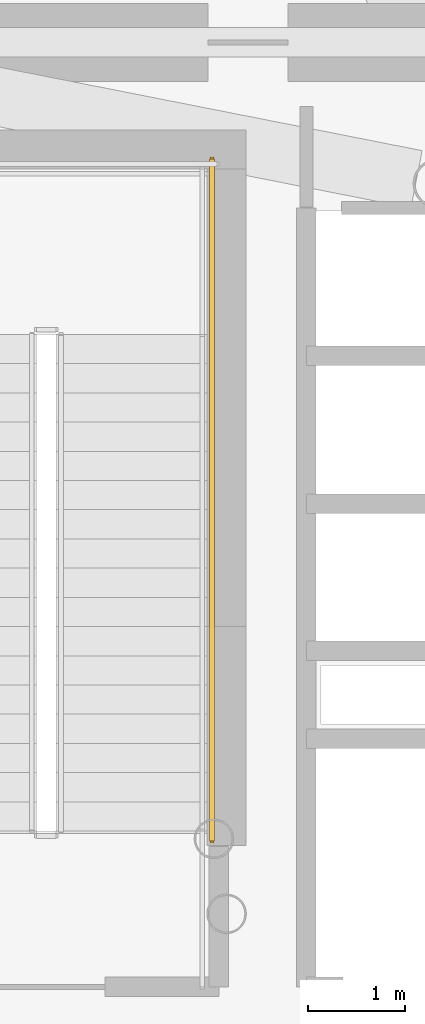
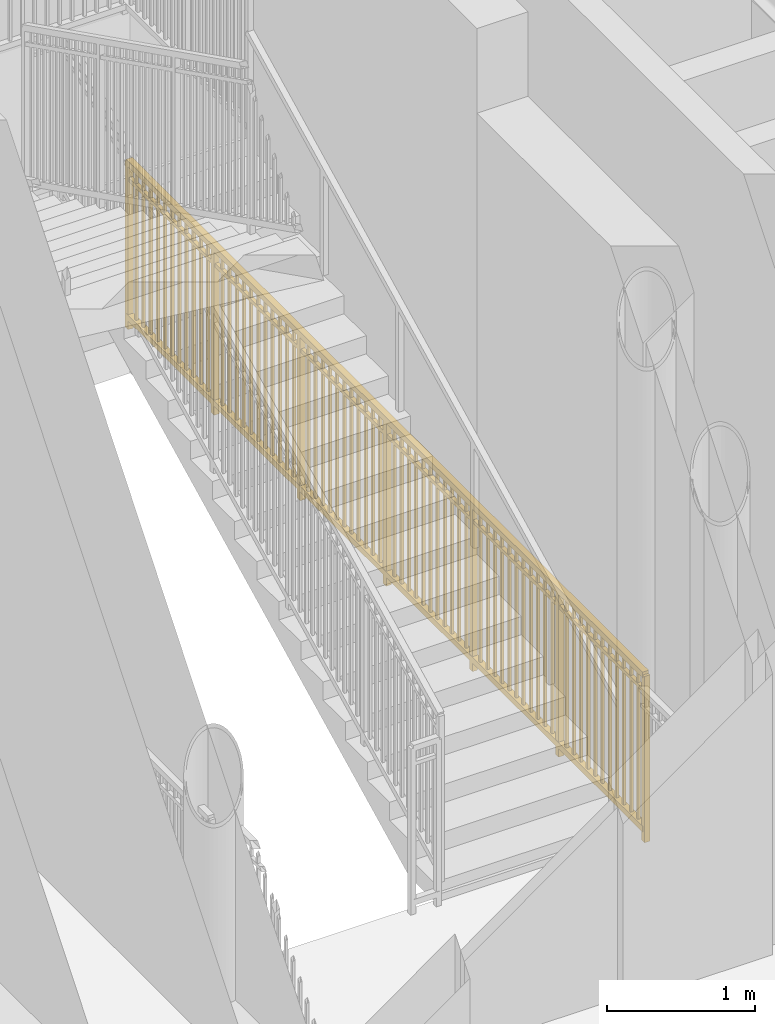
# One storey, part 11 of 15: 1 railing.
"""IFC4 building model written with IfcOpenShell, lengths in metres."""

from ifc_helpers import new_model, si_unit, direction, frame, origin, origin_2d, place, context, subcontext, project, spatial, rectangle, extrude, source, transform, mapped, material, type_object, element, save


model = new_model("IFC4")

# Units and contexts
model_context = context("Model", 3, precision=1e-05, world=origin(), true_north=direction((0.0, 1.0)))
body_context = subcontext(model_context, "Body", "Model", "MODEL_VIEW")
ifc_project = project(units=[si_unit("LENGTHUNIT", "METRE"), si_unit("AREAUNIT", "SQUARE_METRE"), si_unit("VOLUMEUNIT", "CUBIC_METRE"), si_unit("PLANEANGLEUNIT", "RADIAN"), si_unit("MASSUNIT", "GRAM", prefix="KILO")], contexts=[model_context])

# Site, building, storey
site_placement = place(None, origin())
site = spatial("IfcSite", under=ifc_project, at=site_placement, CompositionType="ELEMENT")
building_placement = place(site_placement, origin())
building = spatial("IfcBuilding", under=site, at=building_placement, Name="Linh Dai School and Residence Tower", CompositionType="ELEMENT")
storey_placement = place(building_placement, frame((0.0, 0.0, 145.949951171875)))
storey = spatial("IfcBuildingStorey", under=building, at=storey_placement, Name="L35", CompositionType="ELEMENT", Elevation=145.949951171875)

# Railing
ifc_material = material(Name="Structural Steel S355JR", Category="steel")
railing_type = type_object("IfcRailingType", Name="RL-ST-GUARD-1400", PredefinedType="GUARDRAIL", material=ifc_material)
shared_shape = source(origin(), body_context, "Body", "SweptSolid", [
    extrude(rectangle(XDim=0.048095703125, YDim=0.048095703125, at=origin_2d()), frame((0.0, 0.0, 1.3759765625), z_axis=(0.0, 1.0, 0.0), x_axis=(-1.0, 0.0, 0.0)), (0.0, 0.0, 1.0), 7.0),
    extrude(rectangle(XDim=0.048095703125, YDim=0.048095703125, at=origin_2d()), frame((0.0, 0.0, 0.10009765625), z_axis=(0.0, 1.0, 0.0), x_axis=(-1.0, 0.0, 0.0)), (0.0, 0.0, 1.0), 7.0),
    extrude(rectangle(XDim=0.030029296875, YDim=0.030029296875, at=origin_2d()), frame((0.0, 0.0, 1.239990234375), z_axis=(0.0, 1.0, 0.0), x_axis=(-1.0, 0.0, 0.0)), (0.0, 0.0, 1.0), 7.0),
    extrude(rectangle(XDim=0.02001953125, YDim=0.02001953125, at=origin_2d()), frame((0.0, 0.09716796875, 0.10009765625)), (0.0, 0.0, 1.0), 1.251708984375),
    extrude(rectangle(XDim=0.02001953125, YDim=0.02001953125, at=origin_2d()), frame((0.0, 0.1943359375, 0.10009765625)), (0.0, 0.0, 1.0), 1.251708984375),
    extrude(rectangle(XDim=0.02001953125, YDim=0.02001953125, at=origin_2d()), frame((0.0, 0.291748046875, 0.10009765625)), (0.0, 0.0, 1.0), 1.251708984375),
    extrude(rectangle(XDim=0.02001953125, YDim=0.02001953125, at=origin_2d()), frame((0.0, 0.388916015625, 0.10009765625)), (0.0, 0.0, 1.0), 1.251708984375),
    extrude(rectangle(XDim=0.02001953125, YDim=0.02001953125, at=origin_2d()), frame((0.0, 0.486083984375, 0.10009765625)), (0.0, 0.0, 1.0), 1.251708984375),
    extrude(rectangle(XDim=0.02001953125, YDim=0.02001953125, at=origin_2d()), frame((0.0, 0.583251953125, 0.10009765625)), (0.0, 0.0, 1.0), 1.251708984375),
    extrude(rectangle(XDim=0.02001953125, YDim=0.02001953125, at=origin_2d()), frame((0.0, 0.6806640625, 0.10009765625)), (0.0, 0.0, 1.0), 1.251708984375),
    extrude(rectangle(XDim=0.02001953125, YDim=0.02001953125, at=origin_2d()), frame((0.0, 0.77783203125, 0.10009765625)), (0.0, 0.0, 1.0), 1.251708984375),
    extrude(rectangle(XDim=0.02001953125, YDim=0.02001953125, at=origin_2d()), frame((0.0, 0.875, 0.10009765625)), (0.0, 0.0, 1.0), 1.251708984375),
    extrude(rectangle(XDim=0.02001953125, YDim=0.02001953125, at=origin_2d()), frame((0.0, 0.97216796875, 0.10009765625)), (0.0, 0.0, 1.0), 1.251708984375),
    extrude(rectangle(XDim=0.02001953125, YDim=0.02001953125, at=origin_2d()), frame((0.0, 1.0693359375, 0.10009765625)), (0.0, 0.0, 1.0), 1.251708984375),
    extrude(rectangle(XDim=0.02001953125, YDim=0.02001953125, at=origin_2d()), frame((0.0, 1.263916015625, 0.10009765625)), (0.0, 0.0, 1.0), 1.251708984375),
    extrude(rectangle(XDim=0.02001953125, YDim=0.02001953125, at=origin_2d()), frame((0.0, 1.361083984375, 0.10009765625)), (0.0, 0.0, 1.0), 1.251708984375),
    extrude(rectangle(XDim=0.02001953125, YDim=0.02001953125, at=origin_2d()), frame((0.0, 1.458251953125, 0.10009765625)), (0.0, 0.0, 1.0), 1.251708984375),
    extrude(rectangle(XDim=0.02001953125, YDim=0.02001953125, at=origin_2d()), frame((0.0, 1.5556640625, 0.10009765625)), (0.0, 0.0, 1.0), 1.251708984375),
    extrude(rectangle(XDim=0.02001953125, YDim=0.02001953125, at=origin_2d()), frame((0.0, 1.65283203125, 0.10009765625)), (0.0, 0.0, 1.0), 1.251708984375),
    extrude(rectangle(XDim=0.02001953125, YDim=0.02001953125, at=origin_2d()), frame((0.0, 1.75, 0.10009765625)), (0.0, 0.0, 1.0), 1.251708984375),
    extrude(rectangle(XDim=0.02001953125, YDim=0.02001953125, at=origin_2d()), frame((0.0, 1.84716796875, 0.10009765625)), (0.0, 0.0, 1.0), 1.251708984375),
    extrude(rectangle(XDim=0.02001953125, YDim=0.02001953125, at=origin_2d()), frame((0.0, 1.9443359375, 0.10009765625)), (0.0, 0.0, 1.0), 1.251708984375),
    extrude(rectangle(XDim=0.02001953125, YDim=0.02001953125, at=origin_2d()), frame((0.0, 2.041748046875, 0.10009765625)), (0.0, 0.0, 1.0), 1.251708984375),
    extrude(rectangle(XDim=0.02001953125, YDim=0.02001953125, at=origin_2d()), frame((0.0, 2.138916015625, 0.10009765625)), (0.0, 0.0, 1.0), 1.251708984375),
    extrude(rectangle(XDim=0.02001953125, YDim=0.02001953125, at=origin_2d()), frame((0.0, 2.236083984375, 0.10009765625)), (0.0, 0.0, 1.0), 1.251708984375),
    extrude(rectangle(XDim=0.02001953125, YDim=0.02001953125, at=origin_2d()), frame((0.0, 2.4306640625, 0.10009765625)), (0.0, 0.0, 1.0), 1.251708984375),
    extrude(rectangle(XDim=0.02001953125, YDim=0.02001953125, at=origin_2d()), frame((0.0, 2.52783203125, 0.10009765625)), (0.0, 0.0, 1.0), 1.251708984375),
    extrude(rectangle(XDim=0.02001953125, YDim=0.02001953125, at=origin_2d()), frame((0.0, 2.625, 0.10009765625)), (0.0, 0.0, 1.0), 1.251708984375),
    extrude(rectangle(XDim=0.02001953125, YDim=0.02001953125, at=origin_2d()), frame((0.0, 2.72216796875, 0.10009765625)), (0.0, 0.0, 1.0), 1.251708984375),
    extrude(rectangle(XDim=0.02001953125, YDim=0.02001953125, at=origin_2d()), frame((0.0, 2.8193359375, 0.10009765625)), (0.0, 0.0, 1.0), 1.251708984375),
    extrude(rectangle(XDim=0.02001953125, YDim=0.02001953125, at=origin_2d()), frame((0.0, 2.916748046875, 0.10009765625)), (0.0, 0.0, 1.0), 1.251708984375),
    extrude(rectangle(XDim=0.02001953125, YDim=0.02001953125, at=origin_2d()), frame((0.0, 3.013916015625, 0.10009765625)), (0.0, 0.0, 1.0), 1.251708984375),
    extrude(rectangle(XDim=0.02001953125, YDim=0.02001953125, at=origin_2d()), frame((0.0, 3.111083984375, 0.10009765625)), (0.0, 0.0, 1.0), 1.251708984375),
    extrude(rectangle(XDim=0.02001953125, YDim=0.02001953125, at=origin_2d()), frame((0.0, 3.208251953125, 0.10009765625)), (0.0, 0.0, 1.0), 1.251708984375),
    extrude(rectangle(XDim=0.02001953125, YDim=0.02001953125, at=origin_2d()), frame((0.0, 3.3056640625, 0.10009765625)), (0.0, 0.0, 1.0), 1.251708984375),
    extrude(rectangle(XDim=0.02001953125, YDim=0.02001953125, at=origin_2d()), frame((0.0, 3.40283203125, 0.10009765625)), (0.0, 0.0, 1.0), 1.251708984375),
    extrude(rectangle(XDim=0.02001953125, YDim=0.02001953125, at=origin_2d()), frame((0.0, 3.59716796875, 0.10009765625)), (0.0, 0.0, 1.0), 1.251708984375),
    extrude(rectangle(XDim=0.02001953125, YDim=0.02001953125, at=origin_2d()), frame((0.0, 3.6943359375, 0.10009765625)), (0.0, 0.0, 1.0), 1.251708984375),
    extrude(rectangle(XDim=0.02001953125, YDim=0.02001953125, at=origin_2d()), frame((0.0, 3.791748046875, 0.10009765625)), (0.0, 0.0, 1.0), 1.251708984375),
    extrude(rectangle(XDim=0.02001953125, YDim=0.02001953125, at=origin_2d()), frame((0.0, 3.888916015625, 0.10009765625)), (0.0, 0.0, 1.0), 1.251708984375),
    extrude(rectangle(XDim=0.02001953125, YDim=0.02001953125, at=origin_2d()), frame((0.0, 3.986083984375, 0.10009765625)), (0.0, 0.0, 1.0), 1.251708984375),
    extrude(rectangle(XDim=0.02001953125, YDim=0.02001953125, at=origin_2d()), frame((0.0, 4.083251953125, 0.10009765625)), (0.0, 0.0, 1.0), 1.251708984375),
    extrude(rectangle(XDim=0.02001953125, YDim=0.02001953125, at=origin_2d()), frame((0.0, 4.1806640625, 0.10009765625)), (0.0, 0.0, 1.0), 1.251708984375),
    extrude(rectangle(XDim=0.02001953125, YDim=0.02001953125, at=origin_2d()), frame((0.0, 4.27783203125, 0.10009765625)), (0.0, 0.0, 1.0), 1.251708984375),
    extrude(rectangle(XDim=0.02001953125, YDim=0.02001953125, at=origin_2d()), frame((0.0, 4.375, 0.10009765625)), (0.0, 0.0, 1.0), 1.251708984375),
    extrude(rectangle(XDim=0.02001953125, YDim=0.02001953125, at=origin_2d()), frame((0.0, 4.47216796875, 0.10009765625)), (0.0, 0.0, 1.0), 1.251708984375),
    extrude(rectangle(XDim=0.02001953125, YDim=0.02001953125, at=origin_2d()), frame((0.0, 4.5693359375, 0.10009765625)), (0.0, 0.0, 1.0), 1.251708984375),
    extrude(rectangle(XDim=0.02001953125, YDim=0.02001953125, at=origin_2d()), frame((0.0, 4.763916015625, 0.10009765625)), (0.0, 0.0, 1.0), 1.251708984375),
    extrude(rectangle(XDim=0.02001953125, YDim=0.02001953125, at=origin_2d()), frame((0.0, 4.861083984375, 0.10009765625)), (0.0, 0.0, 1.0), 1.251708984375),
    extrude(rectangle(XDim=0.02001953125, YDim=0.02001953125, at=origin_2d()), frame((0.0, 4.958251953125, 0.10009765625)), (0.0, 0.0, 1.0), 1.251708984375),
    extrude(rectangle(XDim=0.02001953125, YDim=0.02001953125, at=origin_2d()), frame((0.0, 5.0556640625, 0.10009765625)), (0.0, 0.0, 1.0), 1.251708984375),
    extrude(rectangle(XDim=0.02001953125, YDim=0.02001953125, at=origin_2d()), frame((0.0, 5.15283203125, 0.10009765625)), (0.0, 0.0, 1.0), 1.251708984375),
    extrude(rectangle(XDim=0.02001953125, YDim=0.02001953125, at=origin_2d()), frame((0.0, 5.25, 0.10009765625)), (0.0, 0.0, 1.0), 1.251708984375),
    extrude(rectangle(XDim=0.02001953125, YDim=0.02001953125, at=origin_2d()), frame((0.0, 5.34716796875, 0.10009765625)), (0.0, 0.0, 1.0), 1.251708984375),
    extrude(rectangle(XDim=0.02001953125, YDim=0.02001953125, at=origin_2d()), frame((0.0, 5.4443359375, 0.10009765625)), (0.0, 0.0, 1.0), 1.251708984375),
    extrude(rectangle(XDim=0.02001953125, YDim=0.02001953125, at=origin_2d()), frame((0.0, 5.541748046875, 0.10009765625)), (0.0, 0.0, 1.0), 1.251708984375),
    extrude(rectangle(XDim=0.02001953125, YDim=0.02001953125, at=origin_2d()), frame((0.0, 5.638916015625, 0.10009765625)), (0.0, 0.0, 1.0), 1.251708984375),
    extrude(rectangle(XDim=0.02001953125, YDim=0.02001953125, at=origin_2d()), frame((0.0, 5.736083984375, 0.10009765625)), (0.0, 0.0, 1.0), 1.251708984375),
    extrude(rectangle(XDim=0.02001953125, YDim=0.02001953125, at=origin_2d()), frame((0.0, 5.9306640625, 0.10009765625)), (0.0, 0.0, 1.0), 1.251708984375),
    extrude(rectangle(XDim=0.02001953125, YDim=0.02001953125, at=origin_2d()), frame((0.0, 6.02783203125, 0.10009765625)), (0.0, 0.0, 1.0), 1.251708984375),
    extrude(rectangle(XDim=0.02001953125, YDim=0.02001953125, at=origin_2d()), frame((0.0, 6.125, 0.10009765625)), (0.0, 0.0, 1.0), 1.251708984375),
    extrude(rectangle(XDim=0.02001953125, YDim=0.02001953125, at=origin_2d()), frame((0.0, 6.22216796875, 0.10009765625)), (0.0, 0.0, 1.0), 1.251708984375),
    extrude(rectangle(XDim=0.02001953125, YDim=0.02001953125, at=origin_2d()), frame((0.0, 6.3193359375, 0.10009765625)), (0.0, 0.0, 1.0), 1.251708984375),
    extrude(rectangle(XDim=0.02001953125, YDim=0.02001953125, at=origin_2d()), frame((0.0, 6.416748046875, 0.10009765625)), (0.0, 0.0, 1.0), 1.251708984375),
    extrude(rectangle(XDim=0.02001953125, YDim=0.02001953125, at=origin_2d()), frame((0.0, 6.513916015625, 0.10009765625)), (0.0, 0.0, 1.0), 1.251708984375),
    extrude(rectangle(XDim=0.02001953125, YDim=0.02001953125, at=origin_2d()), frame((0.0, 6.611083984375, 0.10009765625)), (0.0, 0.0, 1.0), 1.251708984375),
    extrude(rectangle(XDim=0.02001953125, YDim=0.02001953125, at=origin_2d()), frame((0.0, 6.708251953125, 0.10009765625)), (0.0, 0.0, 1.0), 1.251708984375),
    extrude(rectangle(XDim=0.02001953125, YDim=0.02001953125, at=origin_2d()), frame((0.0, 6.8056640625, 0.10009765625)), (0.0, 0.0, 1.0), 1.251708984375),
    extrude(rectangle(XDim=0.02001953125, YDim=0.02001953125, at=origin_2d()), frame((0.0, 6.90283203125, 0.10009765625)), (0.0, 0.0, 1.0), 1.251708984375),
    extrude(rectangle(XDim=0.0419921875, YDim=0.0419921875, at=origin_2d()), origin(), (0.0, 0.0, 1.0), 1.3759765625),
    extrude(rectangle(XDim=0.0419921875, YDim=0.0419921875, at=origin_2d()), frame((0.0, 1.166748046875, 0.0)), (0.0, 0.0, 1.0), 1.3759765625),
    extrude(rectangle(XDim=0.0419921875, YDim=0.0419921875, at=origin_2d()), frame((0.0, 2.333251953125, 0.0)), (0.0, 0.0, 1.0), 1.3759765625),
    extrude(rectangle(XDim=0.0419921875, YDim=0.0419921875, at=origin_2d()), frame((0.0, 3.5, 0.0)), (0.0, 0.0, 1.0), 1.3759765625),
    extrude(rectangle(XDim=0.0419921875, YDim=0.0419921875, at=origin_2d()), frame((0.0, 4.666748046875, 0.0)), (0.0, 0.0, 1.0), 1.3759765625),
    extrude(rectangle(XDim=0.0419921875, YDim=0.0419921875, at=origin_2d()), frame((0.0, 5.833251953125, 0.0)), (0.0, 0.0, 1.0), 1.3759765625),
    extrude(rectangle(XDim=0.0419921875, YDim=0.0419921875, at=origin_2d()), frame((0.0, 7.0, 0.0)), (0.0, 0.0, 1.0), 1.3759765625),
])
railing_placement = place(storey_placement, frame((31.030029296875, 25.60009765625, 0.0)))
element("IfcRailing", 1, at=railing_placement, inside=storey, type_object=railing_type, Name="L35 ST1 stair guard 10", PredefinedType="GUARDRAIL", context=body_context, shape_type="MappedRepresentation", body=[
    mapped(shared_shape, transform((0.0, 0.0, 0.0), x_axis=(1.0, 0.0, 0.0), y_axis=(0.0, 1.0, 0.0), z_axis=(0.0, 0.0, 1.0), scale=1.0)),
])

save(model, "model.ifc")
